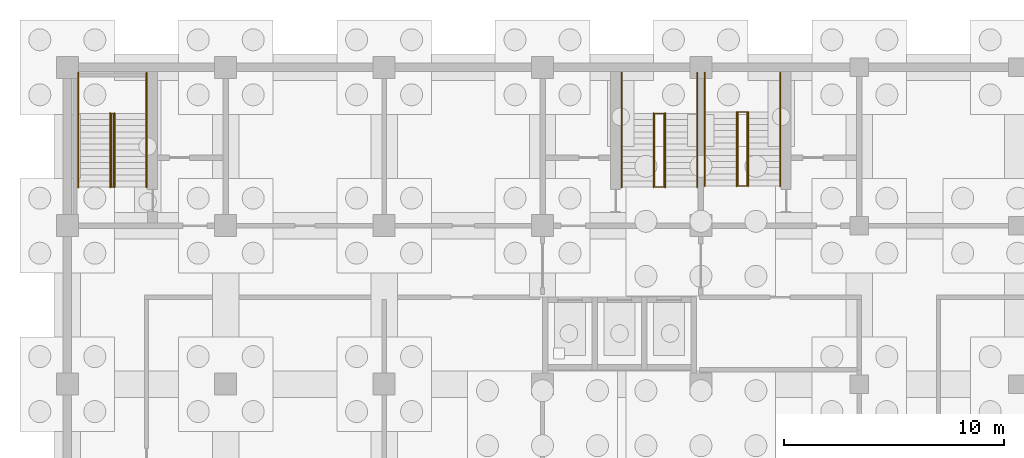
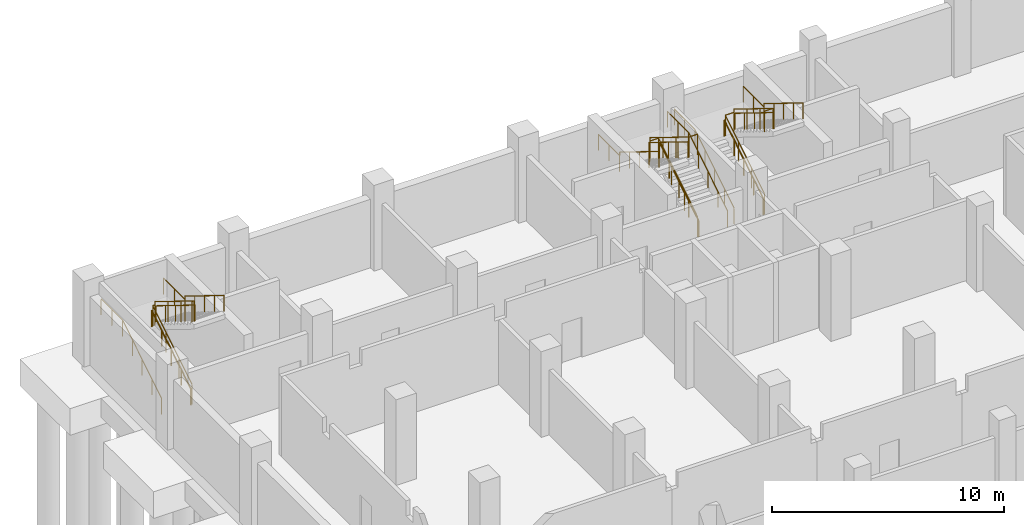
# One storey, part 16 of 19: 15 railings.
"""IFC4 building model written with IfcOpenShell, lengths in metres."""

from ifc_helpers import new_model, si_unit, direction, frame, origin, origin_2d, place, context, subcontext, project, spatial, circle, extrude, material, type_object, element, save


model = new_model("IFC4")

# Units and contexts
model_context = context("Model", 3, precision=1e-05, world=origin(), true_north=direction((0.0, 1.0)))
body_context = subcontext(model_context, "Body", "Model", "MODEL_VIEW")
ifc_project = project(units=[si_unit("LENGTHUNIT", "METRE"), si_unit("AREAUNIT", "SQUARE_METRE"), si_unit("VOLUMEUNIT", "CUBIC_METRE"), si_unit("PLANEANGLEUNIT", "RADIAN"), si_unit("MASSUNIT", "GRAM", prefix="KILO")], contexts=[model_context])

# Site, building, storey
site_placement = place(None, origin())
site = spatial("IfcSite", under=ifc_project, at=site_placement, CompositionType="ELEMENT")
building_placement = place(site_placement, origin())
building = spatial("IfcBuilding", under=site, at=building_placement, Name="Silangan Lancet Faculty of Sciences", CompositionType="ELEMENT")
storey_placement = place(building_placement, frame((0.0, 0.0, -4.5)))
storey = spatial("IfcBuildingStorey", under=building, at=storey_placement, Name="B1", CompositionType="ELEMENT", Elevation=-4.5)

# Railings
ifc_material_1 = material(Name="Steel balustrade", Category="steel")
railing_type_1 = type_object("IfcRailingType", Name="STAIR GUARD 1100", PredefinedType="GUARDRAIL", material=ifc_material_1)
railing_1_placement = place(storey_placement, frame((30.47509765625, 52.199951171875, 0.173095703125)))
element("IfcRailing", 1, at=railing_1_placement, inside=storey, type_object=railing_type_1, Name="GUARD-NAB-A-B1", PredefinedType="GUARDRAIL", context=body_context, shape_type="SweptSolid", body=[
    extrude(circle(Radius=0.02392578125, at=origin_2d()), frame((0.0, 0.0, 1.076171875), z_axis=(0.0, 0.850623216509, 0.525775754039), x_axis=(-1.0, 0.0, 0.0)), (0.0, 0.0, 1.0), 3.9501953125),
    extrude(circle(Radius=0.02392578125, at=origin_2d()), frame((0.0, 3.360107421875, 3.15283203125), z_axis=(1.0, 0.0, 0.0), x_axis=(0.0, 1.0, 0.0)), (0.0, 0.0, 1.0), 0.4248046875),
    extrude(circle(Radius=0.02392578125, at=origin_2d()), frame((0.4248046875, 3.360107421875, 3.15283203125), z_axis=(0.0, 0.0, 1.0), x_axis=(1.0, 0.0, 0.0)), (0.0, 0.0, 1.0), 0.173095703125),
    extrude(circle(Radius=0.02392578125, at=origin_2d()), frame((0.4248046875, 3.360107421875, 3.326171875), z_axis=(0.0, -0.850623216509, 0.525775754039), x_axis=(1.0, 0.0, 0.0)), (0.0, 0.0, 1.0), 3.9501953125),
    extrude(circle(Radius=0.02392578125, at=origin_2d()), frame((0.4248046875, 0.0, 5.40283203125), z_axis=(-1.0, 0.0, 0.0), x_axis=(0.0, -1.0, 0.0)), (0.0, 0.0, 1.0), 0.4248046875),
    extrude(circle(Radius=0.02099609375, at=origin_2d()), origin(), (0.0, 0.0, 1.0), 1.052001953125),
    extrude(circle(Radius=0.02099609375, at=origin_2d()), frame((0.0, 1.1201171875, 0.6923828125)), (0.0, 0.0, 1.0), 1.052001953125),
    extrude(circle(Radius=0.02099609375, at=origin_2d()), frame((0.0, 2.239990234375, 1.384521484375)), (0.0, 0.0, 1.0), 1.052001953125),
    extrude(circle(Radius=0.02099609375, at=origin_2d()), frame((0.0, 3.360107421875, 2.076904296875)), (0.0, 0.0, 1.0), 1.052001953125),
    extrude(circle(Radius=0.02099609375, at=origin_2d()), frame((0.4248046875, 3.360107421875, 2.076904296875)), (0.0, 0.0, 1.0), 1.052001953125),
    extrude(circle(Radius=0.02099609375, at=origin_2d()), frame((0.4248046875, 3.360107421875, 2.25)), (0.0, 0.0, 1.0), 1.052001953125),
    extrude(circle(Radius=0.02099609375, at=origin_2d()), frame((0.4248046875, 2.239990234375, 2.9423828125)), (0.0, 0.0, 1.0), 1.052001953125),
    extrude(circle(Radius=0.02099609375, at=origin_2d()), frame((0.4248046875, 1.1201171875, 3.634521484375)), (0.0, 0.0, 1.0), 1.052001953125),
    extrude(circle(Radius=0.02099609375, at=origin_2d()), frame((0.4248046875, 0.0, 4.326904296875)), (0.0, 0.0, 1.0), 1.052001953125),
    extrude(circle(Radius=0.02099609375, at=origin_2d()), frame((0.0, 0.0, 4.326904296875)), (0.0, 0.0, 1.0), 1.052001953125),
])
railing_2_placement = place(storey_placement, frame((2.0, 52.14990234375, 0.173095703125)))
element("IfcRailing", 2, at=railing_2_placement, inside=storey, type_object=railing_type_1, Name="GUARD-NT-A-B1", PredefinedType="GUARDRAIL", context=body_context, shape_type="SweptSolid", body=[
    extrude(circle(Radius=0.02392578125, at=origin_2d()), frame((0.0, 0.0, 1.076171875), z_axis=(0.0, 0.850623216509, 0.525775754039), x_axis=(-1.0, 0.0, 0.0)), (0.0, 0.0, 1.0), 3.9501953125),
    extrude(circle(Radius=0.02392578125, at=origin_2d()), frame((0.0, 3.360107421875, 3.15283203125), z_axis=(1.0, 0.0, 0.0), x_axis=(0.0, 1.0, 0.0)), (0.0, 0.0, 1.0), 0.10009765625),
    extrude(circle(Radius=0.02392578125, at=origin_2d()), frame((0.10009765625, 3.360107421875, 3.15283203125), z_axis=(0.0, 0.0, 1.0), x_axis=(1.0, 0.0, 0.0)), (0.0, 0.0, 1.0), 0.173095703125),
    extrude(circle(Radius=0.02392578125, at=origin_2d()), frame((0.10009765625, 3.360107421875, 3.326171875), z_axis=(0.0, -0.850623216509, 0.525775754039), x_axis=(1.0, 0.0, 0.0)), (0.0, 0.0, 1.0), 3.9501953125),
    extrude(circle(Radius=0.02392578125, at=origin_2d()), frame((0.10009765625, 0.0, 5.40283203125), z_axis=(-1.0, 0.0, 0.0), x_axis=(0.0, -1.0, 0.0)), (0.0, 0.0, 1.0), 0.10009765625),
    extrude(circle(Radius=0.02099609375, at=origin_2d()), origin(), (0.0, 0.0, 1.0), 1.052001953125),
    extrude(circle(Radius=0.02099609375, at=origin_2d()), frame((0.0, 1.1201171875, 0.6923828125)), (0.0, 0.0, 1.0), 1.052001953125),
    extrude(circle(Radius=0.02099609375, at=origin_2d()), frame((0.0, 2.239990234375, 1.384521484375)), (0.0, 0.0, 1.0), 1.052001953125),
    extrude(circle(Radius=0.02099609375, at=origin_2d()), frame((0.0, 3.360107421875, 2.076904296875)), (0.0, 0.0, 1.0), 1.052001953125),
    extrude(circle(Radius=0.02099609375, at=origin_2d()), frame((0.10009765625, 3.360107421875, 2.076904296875)), (0.0, 0.0, 1.0), 1.052001953125),
    extrude(circle(Radius=0.02099609375, at=origin_2d()), frame((0.10009765625, 3.360107421875, 2.25)), (0.0, 0.0, 1.0), 1.052001953125),
    extrude(circle(Radius=0.02099609375, at=origin_2d()), frame((0.10009765625, 2.239990234375, 2.9423828125)), (0.0, 0.0, 1.0), 1.052001953125),
    extrude(circle(Radius=0.02099609375, at=origin_2d()), frame((0.10009765625, 1.1201171875, 3.634521484375)), (0.0, 0.0, 1.0), 1.052001953125),
    extrude(circle(Radius=0.02099609375, at=origin_2d()), frame((0.10009765625, 0.0, 4.326904296875)), (0.0, 0.0, 1.0), 1.052001953125),
    extrude(circle(Radius=0.02099609375, at=origin_2d()), frame((0.0, 0.0, 4.326904296875)), (0.0, 0.0, 1.0), 1.052001953125),
])
railing_3_placement = place(storey_placement, frame((27.125, 52.14990234375, 0.173095703125)))
element("IfcRailing", 3, at=railing_3_placement, inside=storey, type_object=railing_type_1, Name="GUARD-NT-B-B1", PredefinedType="GUARDRAIL", context=body_context, shape_type="SweptSolid", body=[
    extrude(circle(Radius=0.02392578125, at=origin_2d()), frame((0.0, 0.0, 1.076171875), z_axis=(0.0, 0.850623216509, 0.525775754039), x_axis=(-1.0, 0.0, 0.0)), (0.0, 0.0, 1.0), 3.9501953125),
    extrude(circle(Radius=0.02392578125, at=origin_2d()), frame((0.0, 3.360107421875, 3.15283203125), z_axis=(-1.0, 0.0, 0.0), x_axis=(0.0, -1.0, 0.0)), (0.0, 0.0, 1.0), 0.425048828125),
    extrude(circle(Radius=0.02392578125, at=origin_2d()), frame((-0.425048828125, 3.360107421875, 3.15283203125), z_axis=(0.0, 0.0, 1.0), x_axis=(1.0, 0.0, 0.0)), (0.0, 0.0, 1.0), 0.173095703125),
    extrude(circle(Radius=0.02392578125, at=origin_2d()), frame((-0.425048828125, 3.360107421875, 3.326171875), z_axis=(0.0, -0.850623216509, 0.525775754039), x_axis=(1.0, 0.0, 0.0)), (0.0, 0.0, 1.0), 3.9501953125),
    extrude(circle(Radius=0.02392578125, at=origin_2d()), frame((-0.425048828125, 0.0, 5.40283203125), z_axis=(1.0, 0.0, 0.0), x_axis=(0.0, 1.0, 0.0)), (0.0, 0.0, 1.0), 0.425048828125),
    extrude(circle(Radius=0.02099609375, at=origin_2d()), origin(), (0.0, 0.0, 1.0), 1.052001953125),
    extrude(circle(Radius=0.02099609375, at=origin_2d()), frame((0.0, 1.1201171875, 0.6923828125)), (0.0, 0.0, 1.0), 1.052001953125),
    extrude(circle(Radius=0.02099609375, at=origin_2d()), frame((0.0, 2.239990234375, 1.384521484375)), (0.0, 0.0, 1.0), 1.052001953125),
    extrude(circle(Radius=0.02099609375, at=origin_2d()), frame((0.0, 3.360107421875, 2.076904296875)), (0.0, 0.0, 1.0), 1.052001953125),
    extrude(circle(Radius=0.02099609375, at=origin_2d()), frame((-0.425048828125, 3.360107421875, 2.076904296875)), (0.0, 0.0, 1.0), 1.052001953125),
    extrude(circle(Radius=0.02099609375, at=origin_2d()), frame((-0.425048828125, 3.360107421875, 2.25)), (0.0, 0.0, 1.0), 1.052001953125),
    extrude(circle(Radius=0.02099609375, at=origin_2d()), frame((-0.425048828125, 2.239990234375, 2.9423828125)), (0.0, 0.0, 1.0), 1.052001953125),
    extrude(circle(Radius=0.02099609375, at=origin_2d()), frame((-0.425048828125, 1.1201171875, 3.634521484375)), (0.0, 0.0, 1.0), 1.052001953125),
    extrude(circle(Radius=0.02099609375, at=origin_2d()), frame((-0.425048828125, 0.0, 4.326904296875)), (0.0, 0.0, 1.0), 1.052001953125),
    extrude(circle(Radius=0.02099609375, at=origin_2d()), frame((0.0, 0.0, 4.326904296875)), (0.0, 0.0, 1.0), 1.052001953125),
])
ifc_material_2 = material(Name="Stainless steel", Category="steel")
railing_type_2 = type_object("IfcRailingType", Name="STAIR HANDRAIL 865", PredefinedType="HANDRAIL", material=ifc_material_2)
railing_4_placement = place(storey_placement, frame((28.97509765625, 52.199951171875, 0.173095703125)))
element("IfcRailing", 4, at=railing_4_placement, inside=storey, type_object=railing_type_2, Name="HANDRAIL-NAB-A-B1-O1", PredefinedType="HANDRAIL", context=body_context, shape_type="SweptSolid", body=[
    extrude(circle(Radius=0.02392578125, at=origin_2d()), frame((0.0, 0.0, 0.8408203125), z_axis=(0.0, 0.85061266112, 0.525792830631), x_axis=(-1.0, 0.0, 0.0)), (0.0, 0.0, 1.0), 0.987548828125),
    extrude(circle(Radius=0.02392578125, at=origin_2d()), frame((0.0, 0.840087890625, 1.3603515625), z_axis=(0.0, 0.850654891397, 0.525724505556), x_axis=(-1.0, 0.0, 0.0)), (0.0, 0.0, 1.0), 0.9873046875),
    extrude(circle(Radius=0.02392578125, at=origin_2d()), frame((0.0, 1.679931640625, 1.87939453125), z_axis=(0.0, 0.85061266112, 0.525792830631), x_axis=(-1.0, 0.0, 0.0)), (0.0, 0.0, 1.0), 0.987548828125),
    extrude(circle(Radius=0.02392578125, at=origin_2d()), frame((0.0, 2.52001953125, 2.3984375), z_axis=(0.0, 0.85061266112, 0.525792830631), x_axis=(-1.0, 0.0, 0.0)), (0.0, 0.0, 1.0), 0.987548828125),
    extrude(circle(Radius=0.02392578125, at=origin_2d()), frame((0.0, 3.360107421875, 2.91796875), z_axis=(0.0, 1.0, 0.0), x_axis=(-1.0, 0.0, 0.0)), (0.0, 0.0, 1.0), 1.7900390625),
    extrude(circle(Radius=0.02099609375, at=origin_2d()), origin(), (0.0, 0.0, 1.0), 0.81689453125),
    extrude(circle(Radius=0.02099609375, at=origin_2d()), frame((0.0, 0.840087890625, 0.519287109375)), (0.0, 0.0, 1.0), 0.81689453125),
    extrude(circle(Radius=0.02099609375, at=origin_2d()), frame((0.0, 1.679931640625, 1.038330078125)), (0.0, 0.0, 1.0), 0.81689453125),
    extrude(circle(Radius=0.02099609375, at=origin_2d()), frame((0.0, 2.52001953125, 1.5576171875)), (0.0, 0.0, 1.0), 0.81689453125),
    extrude(circle(Radius=0.02099609375, at=origin_2d()), frame((0.0, 3.360107421875, 2.076904296875)), (0.0, 0.0, 1.0), 0.81689453125),
    extrude(circle(Radius=0.02099609375, at=origin_2d()), frame((0.0, 4.255126953125, 2.076904296875)), (0.0, 0.0, 1.0), 0.81689453125),
    extrude(circle(Radius=0.02099609375, at=origin_2d()), frame((0.0, 5.150146484375, 2.076904296875)), (0.0, 0.0, 1.0), 0.81689453125),
])
railing_5_placement = place(storey_placement, frame((30.425048828125, 52.199951171875, 0.173095703125)))
element("IfcRailing", 5, at=railing_5_placement, inside=storey, type_object=railing_type_2, Name="HANDRAIL-NAB-A-B1-I1", PredefinedType="HANDRAIL", context=body_context, shape_type="SweptSolid", body=[
    extrude(circle(Radius=0.02392578125, at=origin_2d()), frame((0.0, 0.0, 0.8408203125), z_axis=(0.0, 0.85061266112, 0.525792830631), x_axis=(-1.0, 0.0, 0.0)), (0.0, 0.0, 1.0), 0.987548828125),
    extrude(circle(Radius=0.02392578125, at=origin_2d()), frame((0.0, 0.840087890625, 1.3603515625), z_axis=(0.0, 0.850654891397, 0.525724505556), x_axis=(-1.0, 0.0, 0.0)), (0.0, 0.0, 1.0), 0.9873046875),
    extrude(circle(Radius=0.02392578125, at=origin_2d()), frame((0.0, 1.679931640625, 1.87939453125), z_axis=(0.0, 0.85061266112, 0.525792830631), x_axis=(-1.0, 0.0, 0.0)), (0.0, 0.0, 1.0), 0.987548828125),
    extrude(circle(Radius=0.02392578125, at=origin_2d()), frame((0.0, 2.52001953125, 2.3984375), z_axis=(0.0, 0.85061266112, 0.525792830631), x_axis=(-1.0, 0.0, 0.0)), (0.0, 0.0, 1.0), 0.987548828125),
    extrude(circle(Radius=0.02099609375, at=origin_2d()), origin(), (0.0, 0.0, 1.0), 0.81689453125),
    extrude(circle(Radius=0.02099609375, at=origin_2d()), frame((0.0, 0.840087890625, 0.519287109375)), (0.0, 0.0, 1.0), 0.81689453125),
    extrude(circle(Radius=0.02099609375, at=origin_2d()), frame((0.0, 1.679931640625, 1.038330078125)), (0.0, 0.0, 1.0), 0.81689453125),
    extrude(circle(Radius=0.02099609375, at=origin_2d()), frame((0.0, 2.52001953125, 1.5576171875)), (0.0, 0.0, 1.0), 0.81689453125),
    extrude(circle(Radius=0.02099609375, at=origin_2d()), frame((0.0, 3.360107421875, 2.076904296875)), (0.0, 0.0, 1.0), 0.81689453125),
])
railing_6_placement = place(storey_placement, frame((32.39990234375, 57.35009765625, 2.25)))
element("IfcRailing", 6, at=railing_6_placement, inside=storey, type_object=railing_type_2, Name="HANDRAIL-NAB-A-B1-O2", PredefinedType="HANDRAIL", context=body_context, shape_type="SweptSolid", body=[
    extrude(circle(Radius=0.02392578125, at=origin_2d()), frame((0.0, 0.0, 0.8408203125), z_axis=(0.0, -1.0, 0.0), x_axis=(1.0, 0.0, 0.0)), (0.0, 0.0, 1.0), 1.7900390625),
    extrude(circle(Radius=0.02392578125, at=origin_2d()), frame((0.0, -1.7900390625, 0.8408203125), z_axis=(0.0, 0.0, 1.0), x_axis=(1.0, 0.0, 0.0)), (0.0, 0.0, 1.0), 0.173095703125),
    extrude(circle(Radius=0.02392578125, at=origin_2d()), frame((0.0, -1.7900390625, 1.01416015625), z_axis=(0.0, -0.85061266112, 0.525792830631), x_axis=(1.0, 0.0, 0.0)), (0.0, 0.0, 1.0), 0.987548828125),
    extrude(circle(Radius=0.02392578125, at=origin_2d()), frame((0.0, -2.630126953125, 1.533203125), z_axis=(0.0, -0.850723215571, 0.525613936734), x_axis=(1.0, 0.0, 0.0)), (0.0, 0.0, 1.0), 0.987548828125),
    extrude(circle(Radius=0.02392578125, at=origin_2d()), frame((0.0, -3.47021484375, 2.05224609375), z_axis=(0.0, -0.850544299321, 0.52590340833), x_axis=(1.0, 0.0, 0.0)), (0.0, 0.0, 1.0), 0.9873046875),
    extrude(circle(Radius=0.02392578125, at=origin_2d()), frame((0.0, -4.31005859375, 2.57177734375), z_axis=(0.0, -0.85061266112, 0.525792830631), x_axis=(1.0, 0.0, 0.0)), (0.0, 0.0, 1.0), 0.987548828125),
    extrude(circle(Radius=0.02099609375, at=origin_2d()), origin(), (0.0, 0.0, 1.0), 0.81689453125),
    extrude(circle(Radius=0.02099609375, at=origin_2d()), frame((0.0, -0.89501953125, 0.0)), (0.0, 0.0, 1.0), 0.81689453125),
    extrude(circle(Radius=0.02099609375, at=origin_2d()), frame((0.0, -1.7900390625, 0.0)), (0.0, 0.0, 1.0), 0.81689453125),
    extrude(circle(Radius=0.02099609375, at=origin_2d()), frame((0.0, -1.7900390625, 0.173095703125)), (0.0, 0.0, 1.0), 0.81689453125),
    extrude(circle(Radius=0.02099609375, at=origin_2d()), frame((0.0, -2.630126953125, 0.6923828125)), (0.0, 0.0, 1.0), 0.81689453125),
    extrude(circle(Radius=0.02099609375, at=origin_2d()), frame((0.0, -3.47021484375, 1.21142578125)), (0.0, 0.0, 1.0), 0.81689453125),
    extrude(circle(Radius=0.02099609375, at=origin_2d()), frame((0.0, -4.31005859375, 1.730712890625)), (0.0, 0.0, 1.0), 0.81689453125),
    extrude(circle(Radius=0.02099609375, at=origin_2d()), frame((0.0, -5.150146484375, 2.25)), (0.0, 0.0, 1.0), 0.81689453125),
])
railing_7_placement = place(storey_placement, frame((30.949951171875, 55.56005859375, 2.423095703125)))
element("IfcRailing", 7, at=railing_7_placement, inside=storey, type_object=railing_type_2, Name="HANDRAIL-NAB-A-B1-I2", PredefinedType="HANDRAIL", context=body_context, shape_type="SweptSolid", body=[
    extrude(circle(Radius=0.02392578125, at=origin_2d()), frame((0.0, 0.0, 0.8408203125), z_axis=(0.0, -0.85061266112, 0.525792830631), x_axis=(1.0, 0.0, 0.0)), (0.0, 0.0, 1.0), 0.987548828125),
    extrude(circle(Radius=0.02392578125, at=origin_2d()), frame((0.0, -0.840087890625, 1.3603515625), z_axis=(0.0, -0.850723215571, 0.525613936734), x_axis=(1.0, 0.0, 0.0)), (0.0, 0.0, 1.0), 0.987548828125),
    extrude(circle(Radius=0.02392578125, at=origin_2d()), frame((0.0, -1.68017578125, 1.87939453125), z_axis=(0.0, -0.850544299321, 0.52590340833), x_axis=(1.0, 0.0, 0.0)), (0.0, 0.0, 1.0), 0.9873046875),
    extrude(circle(Radius=0.02392578125, at=origin_2d()), frame((0.0, -2.52001953125, 2.3984375), z_axis=(0.0, -0.85061266112, 0.525792830631), x_axis=(1.0, 0.0, 0.0)), (0.0, 0.0, 1.0), 0.987548828125),
    extrude(circle(Radius=0.02099609375, at=origin_2d()), origin(), (0.0, 0.0, 1.0), 0.81689453125),
    extrude(circle(Radius=0.02099609375, at=origin_2d()), frame((0.0, -0.840087890625, 0.519287109375)), (0.0, 0.0, 1.0), 0.81689453125),
    extrude(circle(Radius=0.02099609375, at=origin_2d()), frame((0.0, -1.68017578125, 1.038330078125)), (0.0, 0.0, 1.0), 0.81689453125),
    extrude(circle(Radius=0.02099609375, at=origin_2d()), frame((0.0, -2.52001953125, 1.5576171875)), (0.0, 0.0, 1.0), 0.81689453125),
    extrude(circle(Radius=0.02099609375, at=origin_2d()), frame((0.0, -3.360107421875, 2.076904296875)), (0.0, 0.0, 1.0), 0.81689453125),
])
railing_8_placement = place(storey_placement, frame((0.5, 52.14990234375, 0.173095703125)))
element("IfcRailing", 8, at=railing_8_placement, inside=storey, type_object=railing_type_2, Name="HANDRAIL-NT-A-B1-O1", PredefinedType="HANDRAIL", context=body_context, shape_type="SweptSolid", body=[
    extrude(circle(Radius=0.02392578125, at=origin_2d()), frame((0.0, 0.0, 0.8408203125), z_axis=(0.0, 0.85061266112, 0.525792830631), x_axis=(-1.0, 0.0, 0.0)), (0.0, 0.0, 1.0), 0.987548828125),
    extrude(circle(Radius=0.02392578125, at=origin_2d()), frame((0.0, 0.840087890625, 1.3603515625), z_axis=(0.0, 0.850723215571, 0.525613936734), x_axis=(-1.0, 0.0, 0.0)), (0.0, 0.0, 1.0), 0.987548828125),
    extrude(circle(Radius=0.02392578125, at=origin_2d()), frame((0.0, 1.68017578125, 1.87939453125), z_axis=(0.0, 0.850544299321, 0.52590340833), x_axis=(-1.0, 0.0, 0.0)), (0.0, 0.0, 1.0), 0.9873046875),
    extrude(circle(Radius=0.02392578125, at=origin_2d()), frame((0.0, 2.52001953125, 2.3984375), z_axis=(0.0, 0.85061266112, 0.525792830631), x_axis=(-1.0, 0.0, 0.0)), (0.0, 0.0, 1.0), 0.987548828125),
    extrude(circle(Radius=0.02392578125, at=origin_2d()), frame((0.0, 3.360107421875, 2.91796875), z_axis=(0.0, 1.0, 0.0), x_axis=(-1.0, 0.0, 0.0)), (0.0, 0.0, 1.0), 1.840087890625),
    extrude(circle(Radius=0.02099609375, at=origin_2d()), origin(), (0.0, 0.0, 1.0), 0.81689453125),
    extrude(circle(Radius=0.02099609375, at=origin_2d()), frame((0.0, 0.840087890625, 0.519287109375)), (0.0, 0.0, 1.0), 0.81689453125),
    extrude(circle(Radius=0.02099609375, at=origin_2d()), frame((0.0, 1.68017578125, 1.038330078125)), (0.0, 0.0, 1.0), 0.81689453125),
    extrude(circle(Radius=0.02099609375, at=origin_2d()), frame((0.0, 2.52001953125, 1.5576171875)), (0.0, 0.0, 1.0), 0.81689453125),
    extrude(circle(Radius=0.02099609375, at=origin_2d()), frame((0.0, 3.360107421875, 2.076904296875)), (0.0, 0.0, 1.0), 0.81689453125),
    extrude(circle(Radius=0.02099609375, at=origin_2d()), frame((0.0, 4.2802734375, 2.076904296875)), (0.0, 0.0, 1.0), 0.81689453125),
    extrude(circle(Radius=0.02099609375, at=origin_2d()), frame((0.0, 5.2001953125, 2.076904296875)), (0.0, 0.0, 1.0), 0.81689453125),
])
railing_9_placement = place(storey_placement, frame((1.949951171875, 52.14990234375, 0.173095703125)))
element("IfcRailing", 9, at=railing_9_placement, inside=storey, type_object=railing_type_2, Name="HANDRAIL-NT-A-B1-I1", PredefinedType="HANDRAIL", context=body_context, shape_type="SweptSolid", body=[
    extrude(circle(Radius=0.02392578125, at=origin_2d()), frame((0.0, 0.0, 0.8408203125), z_axis=(0.0, 0.85061266112, 0.525792830631), x_axis=(-1.0, 0.0, 0.0)), (0.0, 0.0, 1.0), 0.987548828125),
    extrude(circle(Radius=0.02392578125, at=origin_2d()), frame((0.0, 0.840087890625, 1.3603515625), z_axis=(0.0, 0.850723215571, 0.525613936734), x_axis=(-1.0, 0.0, 0.0)), (0.0, 0.0, 1.0), 0.987548828125),
    extrude(circle(Radius=0.02392578125, at=origin_2d()), frame((0.0, 1.68017578125, 1.87939453125), z_axis=(0.0, 0.850544299321, 0.52590340833), x_axis=(-1.0, 0.0, 0.0)), (0.0, 0.0, 1.0), 0.9873046875),
    extrude(circle(Radius=0.02392578125, at=origin_2d()), frame((0.0, 2.52001953125, 2.3984375), z_axis=(0.0, 0.85061266112, 0.525792830631), x_axis=(-1.0, 0.0, 0.0)), (0.0, 0.0, 1.0), 0.987548828125),
    extrude(circle(Radius=0.02099609375, at=origin_2d()), origin(), (0.0, 0.0, 1.0), 0.81689453125),
    extrude(circle(Radius=0.02099609375, at=origin_2d()), frame((0.0, 0.840087890625, 0.519287109375)), (0.0, 0.0, 1.0), 0.81689453125),
    extrude(circle(Radius=0.02099609375, at=origin_2d()), frame((0.0, 1.68017578125, 1.038330078125)), (0.0, 0.0, 1.0), 0.81689453125),
    extrude(circle(Radius=0.02099609375, at=origin_2d()), frame((0.0, 2.52001953125, 1.5576171875)), (0.0, 0.0, 1.0), 0.81689453125),
    extrude(circle(Radius=0.02099609375, at=origin_2d()), frame((0.0, 3.360107421875, 2.076904296875)), (0.0, 0.0, 1.0), 0.81689453125),
])
railing_10_placement = place(storey_placement, frame((3.60009765625, 57.35009765625, 2.25)))
element("IfcRailing", 10, at=railing_10_placement, inside=storey, type_object=railing_type_2, Name="HANDRAIL-NT-A-B1-O2", PredefinedType="HANDRAIL", context=body_context, shape_type="SweptSolid", body=[
    extrude(circle(Radius=0.02392578125, at=origin_2d()), frame((0.0, 0.0, 0.8408203125), z_axis=(0.0, -1.0, 0.0), x_axis=(1.0, 0.0, 0.0)), (0.0, 0.0, 1.0), 1.840087890625),
    extrude(circle(Radius=0.02392578125, at=origin_2d()), frame((0.0, -1.840087890625, 0.8408203125), z_axis=(0.0, 0.0, 1.0), x_axis=(1.0, 0.0, 0.0)), (0.0, 0.0, 1.0), 0.173095703125),
    extrude(circle(Radius=0.02392578125, at=origin_2d()), frame((0.0, -1.840087890625, 1.01416015625), z_axis=(0.0, -0.85061266112, 0.525792830631), x_axis=(1.0, 0.0, 0.0)), (0.0, 0.0, 1.0), 0.987548828125),
    extrude(circle(Radius=0.02392578125, at=origin_2d()), frame((0.0, -2.68017578125, 1.533203125), z_axis=(0.0, -0.850654891397, 0.525724505556), x_axis=(1.0, 0.0, 0.0)), (0.0, 0.0, 1.0), 0.9873046875),
    extrude(circle(Radius=0.02392578125, at=origin_2d()), frame((0.0, -3.52001953125, 2.05224609375), z_axis=(0.0, -0.85061266112, 0.525792830631), x_axis=(1.0, 0.0, 0.0)), (0.0, 0.0, 1.0), 0.987548828125),
    extrude(circle(Radius=0.02392578125, at=origin_2d()), frame((0.0, -4.360107421875, 2.57177734375), z_axis=(0.0, -0.85061266112, 0.525792830631), x_axis=(1.0, 0.0, 0.0)), (0.0, 0.0, 1.0), 0.987548828125),
    extrude(circle(Radius=0.02099609375, at=origin_2d()), origin(), (0.0, 0.0, 1.0), 0.81689453125),
    extrude(circle(Radius=0.02099609375, at=origin_2d()), frame((0.0, -0.919921875, 0.0)), (0.0, 0.0, 1.0), 0.81689453125),
    extrude(circle(Radius=0.02099609375, at=origin_2d()), frame((0.0, -1.840087890625, 0.0)), (0.0, 0.0, 1.0), 0.81689453125),
    extrude(circle(Radius=0.02099609375, at=origin_2d()), frame((0.0, -1.840087890625, 0.173095703125)), (0.0, 0.0, 1.0), 0.81689453125),
    extrude(circle(Radius=0.02099609375, at=origin_2d()), frame((0.0, -2.68017578125, 0.6923828125)), (0.0, 0.0, 1.0), 0.81689453125),
    extrude(circle(Radius=0.02099609375, at=origin_2d()), frame((0.0, -3.52001953125, 1.21142578125)), (0.0, 0.0, 1.0), 0.81689453125),
    extrude(circle(Radius=0.02099609375, at=origin_2d()), frame((0.0, -4.360107421875, 1.730712890625)), (0.0, 0.0, 1.0), 0.81689453125),
    extrude(circle(Radius=0.02099609375, at=origin_2d()), frame((0.0, -5.2001953125, 2.25)), (0.0, 0.0, 1.0), 0.81689453125),
])
railing_11_placement = place(storey_placement, frame((2.14990234375, 55.510009765625, 2.423095703125)))
element("IfcRailing", 11, at=railing_11_placement, inside=storey, type_object=railing_type_2, Name="HANDRAIL-NT-A-B1-I2", PredefinedType="HANDRAIL", context=body_context, shape_type="SweptSolid", body=[
    extrude(circle(Radius=0.02392578125, at=origin_2d()), frame((0.0, 0.0, 0.8408203125), z_axis=(0.0, -0.85061266112, 0.525792830631), x_axis=(1.0, 0.0, 0.0)), (0.0, 0.0, 1.0), 0.987548828125),
    extrude(circle(Radius=0.02392578125, at=origin_2d()), frame((0.0, -0.840087890625, 1.3603515625), z_axis=(0.0, -0.850654891397, 0.525724505556), x_axis=(1.0, 0.0, 0.0)), (0.0, 0.0, 1.0), 0.9873046875),
    extrude(circle(Radius=0.02392578125, at=origin_2d()), frame((0.0, -1.679931640625, 1.87939453125), z_axis=(0.0, -0.85061266112, 0.525792830631), x_axis=(1.0, 0.0, 0.0)), (0.0, 0.0, 1.0), 0.987548828125),
    extrude(circle(Radius=0.02392578125, at=origin_2d()), frame((0.0, -2.52001953125, 2.3984375), z_axis=(0.0, -0.85061266112, 0.525792830631), x_axis=(1.0, 0.0, 0.0)), (0.0, 0.0, 1.0), 0.987548828125),
    extrude(circle(Radius=0.02099609375, at=origin_2d()), origin(), (0.0, 0.0, 1.0), 0.81689453125),
    extrude(circle(Radius=0.02099609375, at=origin_2d()), frame((0.0, -0.840087890625, 0.519287109375)), (0.0, 0.0, 1.0), 0.81689453125),
    extrude(circle(Radius=0.02099609375, at=origin_2d()), frame((0.0, -1.679931640625, 1.038330078125)), (0.0, 0.0, 1.0), 0.81689453125),
    extrude(circle(Radius=0.02099609375, at=origin_2d()), frame((0.0, -2.52001953125, 1.5576171875)), (0.0, 0.0, 1.0), 0.81689453125),
    extrude(circle(Radius=0.02099609375, at=origin_2d()), frame((0.0, -3.360107421875, 2.076904296875)), (0.0, 0.0, 1.0), 0.81689453125),
])
railing_12_placement = place(storey_placement, frame((28.625, 52.14990234375, 0.173095703125)))
element("IfcRailing", 12, at=railing_12_placement, inside=storey, type_object=railing_type_2, Name="HANDRAIL-NT-B-B1-O1", PredefinedType="HANDRAIL", context=body_context, shape_type="SweptSolid", body=[
    extrude(circle(Radius=0.02392578125, at=origin_2d()), frame((0.0, 0.0, 0.8408203125), z_axis=(0.0, 0.85061266112, 0.525792830631), x_axis=(-1.0, 0.0, 0.0)), (0.0, 0.0, 1.0), 0.987548828125),
    extrude(circle(Radius=0.02392578125, at=origin_2d()), frame((0.0, 0.840087890625, 1.3603515625), z_axis=(0.0, 0.850723215571, 0.525613936734), x_axis=(-1.0, 0.0, 0.0)), (0.0, 0.0, 1.0), 0.987548828125),
    extrude(circle(Radius=0.02392578125, at=origin_2d()), frame((0.0, 1.68017578125, 1.87939453125), z_axis=(0.0, 0.850544299321, 0.52590340833), x_axis=(-1.0, 0.0, 0.0)), (0.0, 0.0, 1.0), 0.9873046875),
    extrude(circle(Radius=0.02392578125, at=origin_2d()), frame((0.0, 2.52001953125, 2.3984375), z_axis=(0.0, 0.85061266112, 0.525792830631), x_axis=(-1.0, 0.0, 0.0)), (0.0, 0.0, 1.0), 0.987548828125),
    extrude(circle(Radius=0.02392578125, at=origin_2d()), frame((0.0, 3.360107421875, 2.91796875), z_axis=(0.0, 1.0, 0.0), x_axis=(-1.0, 0.0, 0.0)), (0.0, 0.0, 1.0), 1.840087890625),
    extrude(circle(Radius=0.02099609375, at=origin_2d()), origin(), (0.0, 0.0, 1.0), 0.81689453125),
    extrude(circle(Radius=0.02099609375, at=origin_2d()), frame((0.0, 0.840087890625, 0.519287109375)), (0.0, 0.0, 1.0), 0.81689453125),
    extrude(circle(Radius=0.02099609375, at=origin_2d()), frame((0.0, 1.68017578125, 1.038330078125)), (0.0, 0.0, 1.0), 0.81689453125),
    extrude(circle(Radius=0.02099609375, at=origin_2d()), frame((0.0, 2.52001953125, 1.5576171875)), (0.0, 0.0, 1.0), 0.81689453125),
    extrude(circle(Radius=0.02099609375, at=origin_2d()), frame((0.0, 3.360107421875, 2.076904296875)), (0.0, 0.0, 1.0), 0.81689453125),
    extrude(circle(Radius=0.02099609375, at=origin_2d()), frame((0.0, 4.2802734375, 2.076904296875)), (0.0, 0.0, 1.0), 0.81689453125),
    extrude(circle(Radius=0.02099609375, at=origin_2d()), frame((0.0, 5.2001953125, 2.076904296875)), (0.0, 0.0, 1.0), 0.81689453125),
])
railing_13_placement = place(storey_placement, frame((27.175048828125, 52.14990234375, 0.173095703125)))
element("IfcRailing", 13, at=railing_13_placement, inside=storey, type_object=railing_type_2, Name="HANDRAIL-NT-B-B1-I1", PredefinedType="HANDRAIL", context=body_context, shape_type="SweptSolid", body=[
    extrude(circle(Radius=0.02392578125, at=origin_2d()), frame((0.0, 0.0, 0.8408203125), z_axis=(0.0, 0.85061266112, 0.525792830631), x_axis=(-1.0, 0.0, 0.0)), (0.0, 0.0, 1.0), 0.987548828125),
    extrude(circle(Radius=0.02392578125, at=origin_2d()), frame((0.0, 0.840087890625, 1.3603515625), z_axis=(0.0, 0.850723215571, 0.525613936734), x_axis=(-1.0, 0.0, 0.0)), (0.0, 0.0, 1.0), 0.987548828125),
    extrude(circle(Radius=0.02392578125, at=origin_2d()), frame((0.0, 1.68017578125, 1.87939453125), z_axis=(0.0, 0.850544299321, 0.52590340833), x_axis=(-1.0, 0.0, 0.0)), (0.0, 0.0, 1.0), 0.9873046875),
    extrude(circle(Radius=0.02392578125, at=origin_2d()), frame((0.0, 2.52001953125, 2.3984375), z_axis=(0.0, 0.85061266112, 0.525792830631), x_axis=(-1.0, 0.0, 0.0)), (0.0, 0.0, 1.0), 0.987548828125),
    extrude(circle(Radius=0.02099609375, at=origin_2d()), origin(), (0.0, 0.0, 1.0), 0.81689453125),
    extrude(circle(Radius=0.02099609375, at=origin_2d()), frame((0.0, 0.840087890625, 0.519287109375)), (0.0, 0.0, 1.0), 0.81689453125),
    extrude(circle(Radius=0.02099609375, at=origin_2d()), frame((0.0, 1.68017578125, 1.038330078125)), (0.0, 0.0, 1.0), 0.81689453125),
    extrude(circle(Radius=0.02099609375, at=origin_2d()), frame((0.0, 2.52001953125, 1.5576171875)), (0.0, 0.0, 1.0), 0.81689453125),
    extrude(circle(Radius=0.02099609375, at=origin_2d()), frame((0.0, 3.360107421875, 2.076904296875)), (0.0, 0.0, 1.0), 0.81689453125),
])
railing_14_placement = place(storey_placement, frame((25.199951171875, 57.35009765625, 2.25)))
element("IfcRailing", 14, at=railing_14_placement, inside=storey, type_object=railing_type_2, Name="HANDRAIL-NT-B-B1-O2", PredefinedType="HANDRAIL", context=body_context, shape_type="SweptSolid", body=[
    extrude(circle(Radius=0.02392578125, at=origin_2d()), frame((0.0, 0.0, 0.8408203125), z_axis=(0.0, -1.0, 0.0), x_axis=(1.0, 0.0, 0.0)), (0.0, 0.0, 1.0), 1.840087890625),
    extrude(circle(Radius=0.02392578125, at=origin_2d()), frame((0.0, -1.840087890625, 0.8408203125), z_axis=(0.0, 0.0, 1.0), x_axis=(1.0, 0.0, 0.0)), (0.0, 0.0, 1.0), 0.173095703125),
    extrude(circle(Radius=0.02392578125, at=origin_2d()), frame((0.0, -1.840087890625, 1.01416015625), z_axis=(0.0, -0.85061266112, 0.525792830631), x_axis=(1.0, 0.0, 0.0)), (0.0, 0.0, 1.0), 0.987548828125),
    extrude(circle(Radius=0.02392578125, at=origin_2d()), frame((0.0, -2.68017578125, 1.533203125), z_axis=(0.0, -0.850654891397, 0.525724505556), x_axis=(1.0, 0.0, 0.0)), (0.0, 0.0, 1.0), 0.9873046875),
    extrude(circle(Radius=0.02392578125, at=origin_2d()), frame((0.0, -3.52001953125, 2.05224609375), z_axis=(0.0, -0.85061266112, 0.525792830631), x_axis=(1.0, 0.0, 0.0)), (0.0, 0.0, 1.0), 0.987548828125),
    extrude(circle(Radius=0.02392578125, at=origin_2d()), frame((0.0, -4.360107421875, 2.57177734375), z_axis=(0.0, -0.85061266112, 0.525792830631), x_axis=(1.0, 0.0, 0.0)), (0.0, 0.0, 1.0), 0.987548828125),
    extrude(circle(Radius=0.02099609375, at=origin_2d()), origin(), (0.0, 0.0, 1.0), 0.81689453125),
    extrude(circle(Radius=0.02099609375, at=origin_2d()), frame((0.0, -0.919921875, 0.0)), (0.0, 0.0, 1.0), 0.81689453125),
    extrude(circle(Radius=0.02099609375, at=origin_2d()), frame((0.0, -1.840087890625, 0.0)), (0.0, 0.0, 1.0), 0.81689453125),
    extrude(circle(Radius=0.02099609375, at=origin_2d()), frame((0.0, -1.840087890625, 0.173095703125)), (0.0, 0.0, 1.0), 0.81689453125),
    extrude(circle(Radius=0.02099609375, at=origin_2d()), frame((0.0, -2.68017578125, 0.6923828125)), (0.0, 0.0, 1.0), 0.81689453125),
    extrude(circle(Radius=0.02099609375, at=origin_2d()), frame((0.0, -3.52001953125, 1.21142578125)), (0.0, 0.0, 1.0), 0.81689453125),
    extrude(circle(Radius=0.02099609375, at=origin_2d()), frame((0.0, -4.360107421875, 1.730712890625)), (0.0, 0.0, 1.0), 0.81689453125),
    extrude(circle(Radius=0.02099609375, at=origin_2d()), frame((0.0, -5.2001953125, 2.25)), (0.0, 0.0, 1.0), 0.81689453125),
])
railing_15_placement = place(storey_placement, frame((26.64990234375, 55.510009765625, 2.423095703125)))
element("IfcRailing", 15, at=railing_15_placement, inside=storey, type_object=railing_type_2, Name="HANDRAIL-NT-B-B1-I2", PredefinedType="HANDRAIL", context=body_context, shape_type="SweptSolid", body=[
    extrude(circle(Radius=0.02392578125, at=origin_2d()), frame((0.0, 0.0, 0.8408203125), z_axis=(0.0, -0.85061266112, 0.525792830631), x_axis=(1.0, 0.0, 0.0)), (0.0, 0.0, 1.0), 0.987548828125),
    extrude(circle(Radius=0.02392578125, at=origin_2d()), frame((0.0, -0.840087890625, 1.3603515625), z_axis=(0.0, -0.850654891397, 0.525724505556), x_axis=(1.0, 0.0, 0.0)), (0.0, 0.0, 1.0), 0.9873046875),
    extrude(circle(Radius=0.02392578125, at=origin_2d()), frame((0.0, -1.679931640625, 1.87939453125), z_axis=(0.0, -0.85061266112, 0.525792830631), x_axis=(1.0, 0.0, 0.0)), (0.0, 0.0, 1.0), 0.987548828125),
    extrude(circle(Radius=0.02392578125, at=origin_2d()), frame((0.0, -2.52001953125, 2.3984375), z_axis=(0.0, -0.85061266112, 0.525792830631), x_axis=(1.0, 0.0, 0.0)), (0.0, 0.0, 1.0), 0.987548828125),
    extrude(circle(Radius=0.02099609375, at=origin_2d()), origin(), (0.0, 0.0, 1.0), 0.81689453125),
    extrude(circle(Radius=0.02099609375, at=origin_2d()), frame((0.0, -0.840087890625, 0.519287109375)), (0.0, 0.0, 1.0), 0.81689453125),
    extrude(circle(Radius=0.02099609375, at=origin_2d()), frame((0.0, -1.679931640625, 1.038330078125)), (0.0, 0.0, 1.0), 0.81689453125),
    extrude(circle(Radius=0.02099609375, at=origin_2d()), frame((0.0, -2.52001953125, 1.5576171875)), (0.0, 0.0, 1.0), 0.81689453125),
    extrude(circle(Radius=0.02099609375, at=origin_2d()), frame((0.0, -3.360107421875, 2.076904296875)), (0.0, 0.0, 1.0), 0.81689453125),
])

save(model, "model.ifc")
